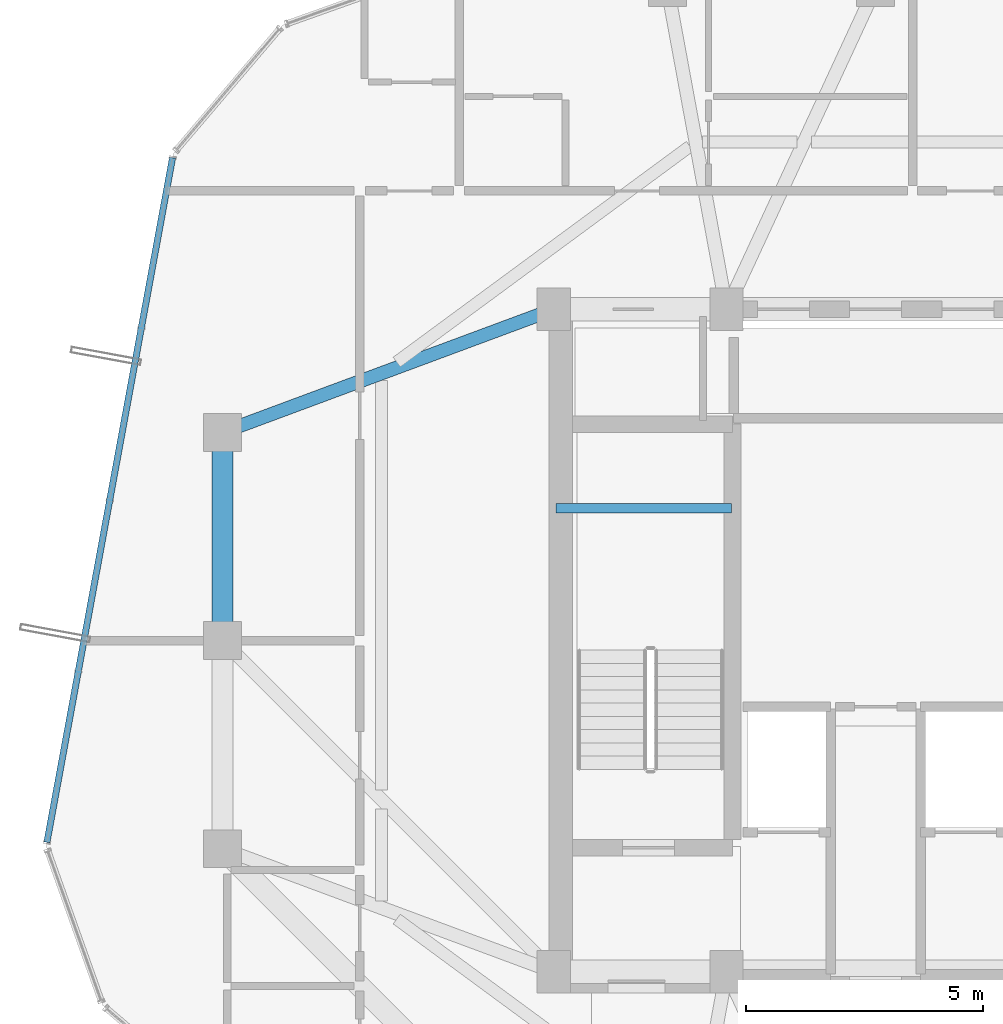
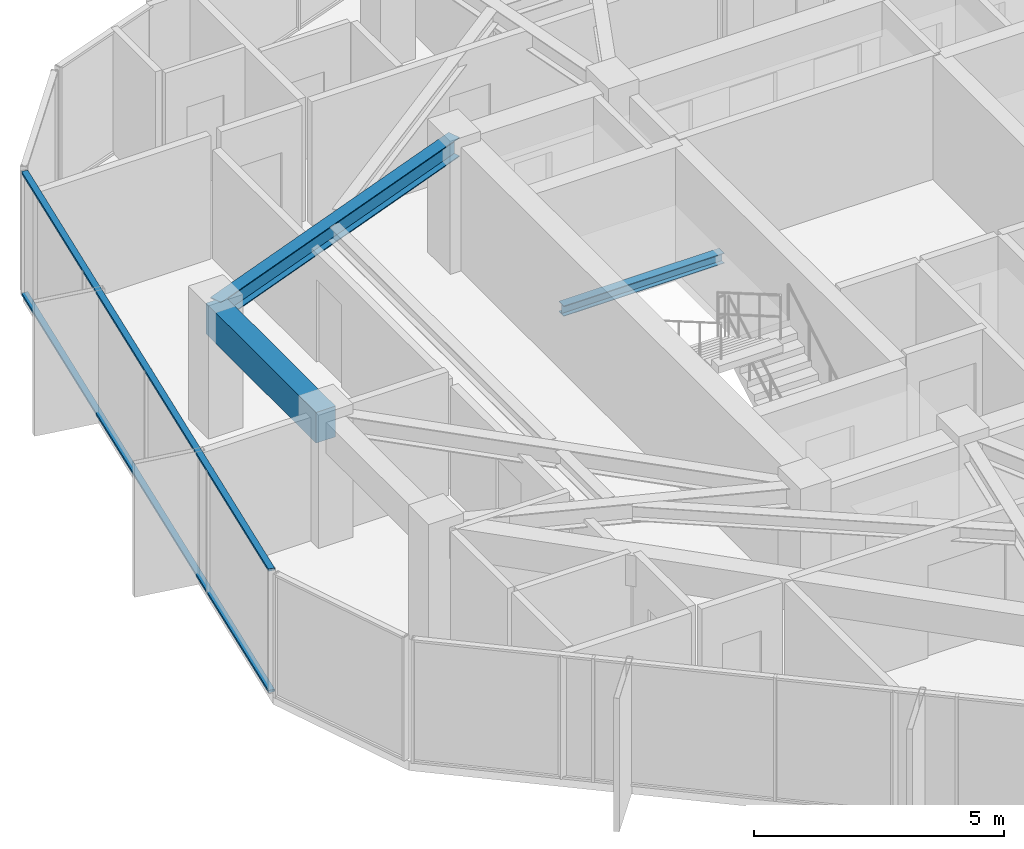
# One storey, part 13 of 29: 3 beams, 2 members, 1 element without a shape of its own.
"""IFC4 building model written with IfcOpenShell, lengths in metres."""

from ifc_helpers import new_model, si_unit, direction, frame, origin, origin_2d, place, context, subcontext, project, spatial, rectangle, hollow_rectangle, i_section, extrude, source, transform, mapped, material, layer, layer_set, material_profile, profile_set, type_object, element, aggregate, save


model = new_model("IFC4")

# Units and contexts
model_context = context("Model", 3, precision=1e-05, world=origin(), true_north=direction((0.0, 1.0)))
body_context = subcontext(model_context, "Body", "Model", "MODEL_VIEW")
ifc_project = project(units=[si_unit("LENGTHUNIT", "METRE"), si_unit("AREAUNIT", "SQUARE_METRE"), si_unit("VOLUMEUNIT", "CUBIC_METRE"), si_unit("PLANEANGLEUNIT", "RADIAN"), si_unit("MASSUNIT", "GRAM", prefix="KILO")], contexts=[model_context])

# Site, building, storey
site_placement = place(None, origin())
site = spatial("IfcSite", under=ifc_project, at=site_placement, CompositionType="ELEMENT")
building_placement = place(site_placement, origin())
building = spatial("IfcBuilding", under=site, at=building_placement, Name="Veraguas Prism Commons", CompositionType="ELEMENT")
storey_placement = place(building_placement, frame((0.0, 0.0, 244.75)))
storey = spatial("IfcBuildingStorey", under=building, at=storey_placement, Name="L69", CompositionType="ELEMENT", Elevation=244.75)

# Beams
ifc_material_1 = material(Name="Concrete C50/60", Category="concrete")
ifc_material_profile_1 = material_profile(ifc_material_1, rectangle(XDim=0.449951171875, YDim=0.75, at=origin_2d()), Name="RC450X750")
ifc_profile_set_1 = profile_set([ifc_material_profile_1], Name="Concrete C50/60")
beam_type_1 = type_object("IfcBeamType", Name="Perimeter Spandrel Upper RC 450x750", PredefinedType="SPANDREL", material=ifc_profile_set_1)
beam_1_placement = place(storey_placement, frame((10.199951171875, 28.39990234375, 2.639892578125), z_axis=(0.0, -1.0, 0.0), x_axis=(1.0, 0.0, 0.0)))
element("IfcBeam", 1, at=beam_1_placement, inside=storey, type_object=beam_type_1, Name="Perimeter Spandrel Beam L69-SP07", PredefinedType="SPANDREL", context=body_context, shape_type="SweptSolid", body=[
    extrude(rectangle(XDim=0.449951171875, YDim=0.75, at=origin_2d()), origin(), (0.0, 0.0, 1.0), 4.39990234375),
])
ifc_material_2 = material(Name="Steel ASTM A992 Grade 50", Category="steel")
ifc_material_profile_2 = material_profile(ifc_material_2, i_section(OverallWidth=0.202880859375, OverallDepth=0.251953125, WebThickness=0.008056640625, FlangeThickness=0.013427734375, at=origin_2d()), Name="W250X58")
ifc_profile_set_2 = profile_set([ifc_material_profile_2], Name="Steel ASTM A992 Grade 50")
beam_type_2 = type_object("IfcBeamType", Name="Structural Opening Lintel W250x58", PredefinedType="LINTEL", material=ifc_profile_set_2)
beam_2_placement = place(storey_placement, frame((17.25, 26.800048828125, 1.299072265625), z_axis=(1.0, 0.0, 0.0), x_axis=(0.0, 1.0, 0.0)))
element("IfcBeam", 2, at=beam_2_placement, inside=storey, type_object=beam_type_2, Name="Stair ST-01 Half-Landing Support Beam L69-1", PredefinedType="LINTEL", context=body_context, shape_type="SweptSolid", body=[
    extrude(i_section(OverallWidth=0.202880859375, OverallDepth=0.251953125, WebThickness=0.008056640625, FlangeThickness=0.013427734375, at=origin_2d()), origin(), (0.0, 0.0, 1.0), 3.699951171875),
])
ifc_material_profile_3 = material_profile(ifc_material_2, i_section(OverallWidth=0.282958984375, OverallDepth=0.471923828125, WebThickness=0.013671875, FlangeThickness=0.022216796875, at=origin_2d()), Name="W460X144")
ifc_profile_set_3 = profile_set([ifc_material_profile_3], Name="Steel ASTM A992 Grade 50")
beam_type_3 = type_object("IfcBeamType", Name="Zone 4 Radial Girder W460x144", PredefinedType="BEAM", material=ifc_profile_set_3)
beam_3_placement = place(storey_placement, frame((10.199951171875, 28.39990234375, 2.779052734375), z_axis=(0.937421003341, 0.348198021958, 0.0), x_axis=(-0.348198021958, 0.937421003341, 0.0)))
element("IfcBeam", 3, at=beam_3_placement, inside=storey, type_object=beam_type_3, Name="Radial Floor Girder L69-RD07", PredefinedType="BEAM", context=body_context, shape_type="SweptSolid", body=[
    extrude(i_section(OverallWidth=0.282958984375, OverallDepth=0.471923828125, WebThickness=0.013671875, FlangeThickness=0.022216796875, at=origin_2d()), origin(), (0.0, 0.0, 1.0), 7.46728515625),
])

# Curtain wall, members
ifc_material_3 = material(Name="Anodised aluminium EN AW-6063 T6", Category="aluminium")
ifc_layer = layer(ifc_material_3, 0.14990234375, Name="Unitised Flush Curtain Wall Zone 4", Category="aluminium")
ifc_layer_set = layer_set([ifc_layer], Name="Anodised aluminium EN AW-6063 T6")
curtain_wall_type = type_object("IfcCurtainWallType", Name="Unitised Flush Curtain Wall Zone 4", PredefinedType="NOTDEFINED", material=ifc_layer_set)
curtain_wall_placement = place(storey_placement, origin())
curtain_wall = element("IfcCurtainWall", 4, at=curtain_wall_placement, inside=storey, type_object=curtain_wall_type, Name="Tower Facade Curtain Wall L69-F3", PredefinedType="NOTDEFINED")
ifc_material_profile_4 = material_profile(ifc_material_3, hollow_rectangle(XDim=0.054931640625, YDim=0.135009765625, WallThickness=0.0029296875, at=origin_2d()), Name="AL55X135X3")
ifc_profile_set_4 = profile_set([ifc_material_profile_4], Name="Anodised aluminium EN AW-6063 T6")
member_type = type_object("IfcMemberType", Name="Curtain Wall Transom Standard AL 55x135x3", PredefinedType="USERDEFINED", material=ifc_profile_set_4)
shared_shape = source(origin(), body_context, "Body", "SweptSolid", [
    extrude(hollow_rectangle(XDim=0.054931640625, YDim=0.135009765625, WallThickness=0.0029296875, at=origin_2d()), origin(), (0.0, 0.0, 1.0), 14.706787109375),
])
member_1_placement = place(storey_placement, frame((9.143310546875, 34.202880859375, 0.027587890625), z_axis=(-0.180515509618, -0.98357213807, 0.0), x_axis=(0.0, 0.0, 1.0)))
member_1 = element("IfcMember", 5, at=member_1_placement, type_object=member_type, Name="CW-Z4 Transom 1", ObjectType="TRANSOM", PredefinedType="USERDEFINED", context=body_context, shape_type="MappedRepresentation", body=[
    mapped(shared_shape, transform((0.0, 0.0, 0.0), scale=1.0)),
])
member_2_placement = place(storey_placement, frame((9.143310546875, 34.202880859375, 2.987548828125), z_axis=(-0.180515509618, -0.98357213807, 0.0), x_axis=(0.0, 0.0, 1.0)))
member_2 = element("IfcMember", 6, at=member_2_placement, type_object=member_type, Name="CW-Z4 Transom 2", ObjectType="TRANSOM", PredefinedType="USERDEFINED", context=body_context, shape_type="MappedRepresentation", body=[
    mapped(shared_shape, transform((0.0, 0.0, 0.0), scale=1.0)),
])
aggregate(curtain_wall, [member_1, member_2])

save(model, "model.ifc")
